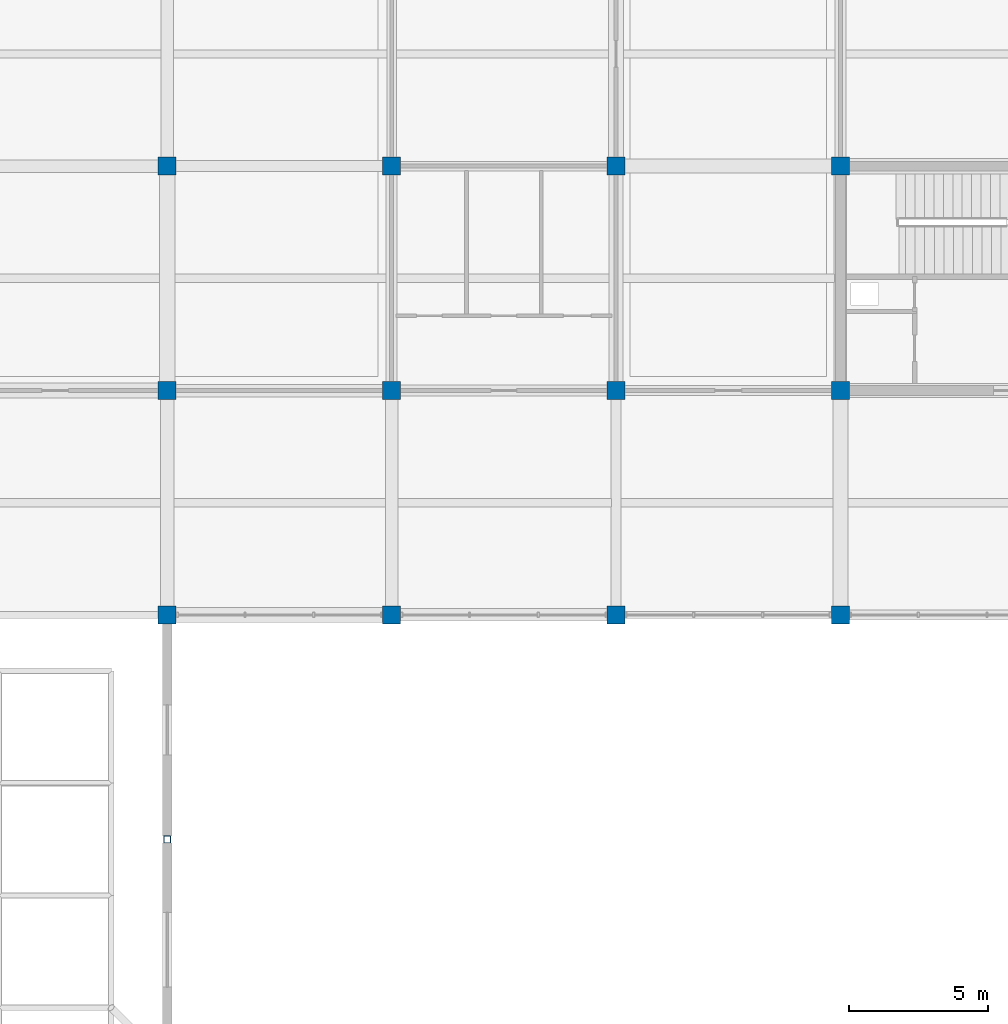
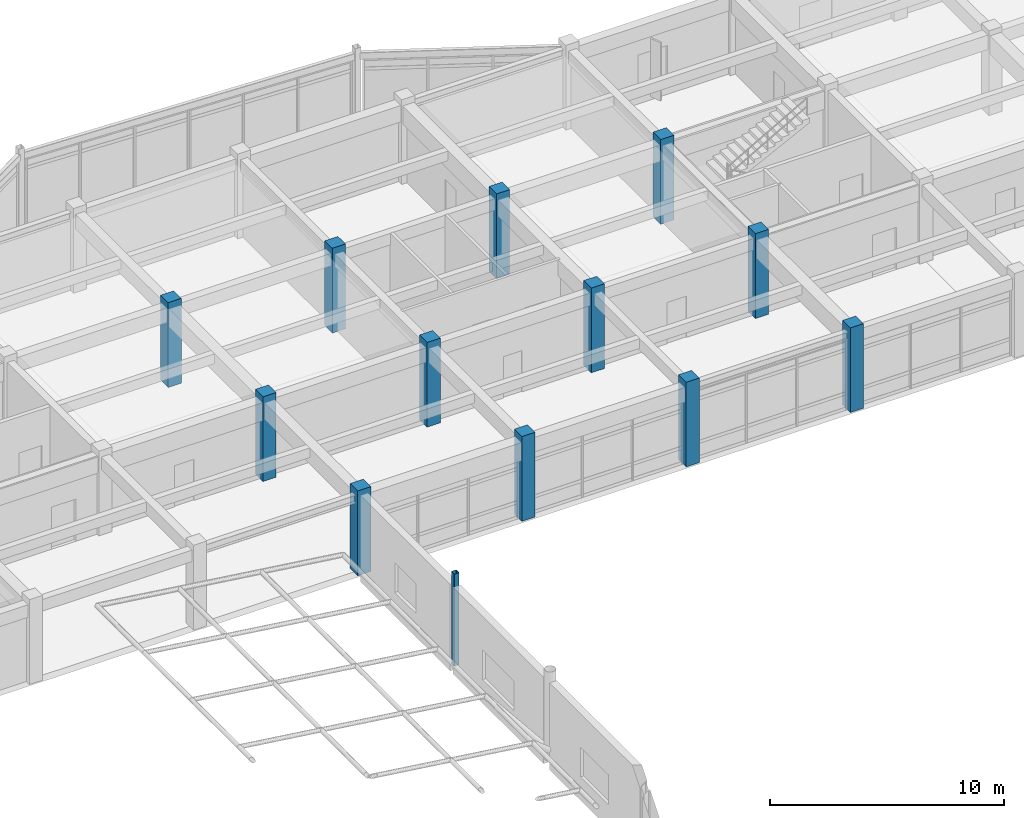
# One storey, part 9 of 89: 13 columns.
"""IFC4 building model written with IfcOpenShell, lengths in metres."""

from ifc_helpers import new_model, si_unit, direction, frame, origin, origin_2d, place, context, subcontext, project, spatial, rectangle, hollow_rectangle, extrude, material, material_profile, profile_set, type_object, element, save


model = new_model("IFC4")

# Units and contexts
model_context = context("Model", 3, precision=1e-05, world=origin(), true_north=direction((0.0, 1.0)))
body_context = subcontext(model_context, "Body", "Model", "MODEL_VIEW")
ifc_project = project(units=[si_unit("LENGTHUNIT", "METRE"), si_unit("AREAUNIT", "SQUARE_METRE"), si_unit("VOLUMEUNIT", "CUBIC_METRE"), si_unit("PLANEANGLEUNIT", "RADIAN"), si_unit("MASSUNIT", "GRAM", prefix="KILO")], contexts=[model_context])

# Site, building, storey
site_placement = place(None, origin())
site = spatial("IfcSite", under=ifc_project, at=site_placement, CompositionType="ELEMENT")
building_placement = place(site_placement, origin())
building = spatial("IfcBuilding", under=site, at=building_placement, Name="Vaudrelin Polytechnic", CompositionType="ELEMENT")
storey_placement = place(building_placement, frame((0.0, 0.0, 9.68994140625)))
storey = spatial("IfcBuildingStorey", under=building, at=storey_placement, Name="L02", CompositionType="ELEMENT", Elevation=9.68994140625)

# Columns
ifc_material_1 = material(Name="Steel CSA G40.21 350W", Category="steel")
ifc_material_profile_1 = material_profile(ifc_material_1, hollow_rectangle(XDim=0.25390625, YDim=0.25390625, WallThickness=0.0126953125, InnerFilletRadius=0.0126953125, OuterFilletRadius=0.025390625, at=origin_2d()), Name="HSS254x254x12.7")
ifc_profile_set_1 = profile_set([ifc_material_profile_1], Name="Steel CSA G40.21 350W")
column_type_1 = type_object("IfcColumnType", Name="COL-C-HSS254", PredefinedType="COLUMN", material=ifc_profile_set_1)
column_placement = place(storey_placement, frame((32.39990234375, 89.10009765625, 0.0), z_axis=(0.0, 0.0, 1.0), x_axis=(1.0, 0.0, 0.0)))
element("IfcColumn", 1, at=column_placement, inside=storey, type_object=column_type_1, Name="Workshop roof perimeter post 4-11", PredefinedType="COLUMN", context=body_context, shape_type="SweptSolid", body=[
    extrude(hollow_rectangle(XDim=0.25390625, YDim=0.25390625, WallThickness=0.0126953125, InnerFilletRadius=0.0126953125, OuterFilletRadius=0.025390625, at=origin_2d()), origin(), (0.0, 0.0, 1.0), 4.800048828125),
])
ifc_material_2 = material(Name="Concrete 40 MPa", Category="concrete")
ifc_material_profile_2 = material_profile(ifc_material_2, rectangle(XDim=0.64990234375, YDim=0.64990234375, at=origin_2d()), Name="RC650x650")
ifc_profile_set_2 = profile_set([ifc_material_profile_2], Name="Concrete 40 MPa")
column_type_2 = type_object("IfcColumnType", Name="COL-C-RC650", PredefinedType="COLUMN", material=ifc_profile_set_2)
for number, where, z_axis, x_axis, name in (
    (2, (32.39990234375, 97.199951171875, 0.0), (0.0, 0.0, 1.0), (1.0, 0.0, 0.0), "Column L02 5-13"),
    (3, (32.39990234375, 105.300048828125, 0.0), (0.0, 0.0, 1.0), (1.0, 0.0, 0.0), "Column L02 5-14"),
    (4, (32.39990234375, 113.39990234375, 0.0), (0.0, 0.0, 1.0), (1.0, 0.0, 0.0), "Column L02 5-15"),
    (5, (40.5, 97.199951171875, 0.0), (0.0, 0.0, 1.0), (1.0, 0.0, 0.0), "Column L02 6-13"),
    (6, (40.5, 105.300048828125, 0.0), (0.0, 0.0, 1.0), (1.0, 0.0, 0.0), "Column L02 6-14"),
    (7, (40.5, 113.39990234375, 0.0), (0.0, 0.0, 1.0), (1.0, 0.0, 0.0), "Column L02 6-15"),
    (8, (48.60009765625, 97.199951171875, 0.0), (0.0, 0.0, 1.0), (1.0, 0.0, 0.0), "Column L02 7-13"),
    (9, (48.60009765625, 105.300048828125, 0.0), (0.0, 0.0, 1.0), (1.0, 0.0, 0.0), "Column L02 7-14"),
    (10, (48.60009765625, 113.39990234375, 0.0), (0.0, 0.0, 1.0), (1.0, 0.0, 0.0), "Column L02 7-15"),
    (11, (56.699951171875, 97.199951171875, 0.0), (0.0, 0.0, 1.0), (1.0, 0.0, 0.0), "Column L02 8-13"),
    (12, (56.699951171875, 105.300048828125, 0.0), (0.0, 0.0, 1.0), (1.0, 0.0, 0.0), "Column L02 8-14"),
    (13, (56.699951171875, 113.39990234375, 0.0), (0.0, 0.0, 1.0), (1.0, 0.0, 0.0), "Column L02 8-15"),
):
    element("IfcColumn", number, at=place(storey_placement, frame(where, z_axis=z_axis, x_axis=x_axis)), inside=storey, type_object=column_type_2, Name=name, PredefinedType="COLUMN", context=body_context, shape_type="SweptSolid", body=[
        extrude(rectangle(XDim=0.64990234375, YDim=0.64990234375, at=origin_2d()), origin(), (0.0, 0.0, 1.0), 4.420166015625),
    ])

save(model, "model.ifc")
